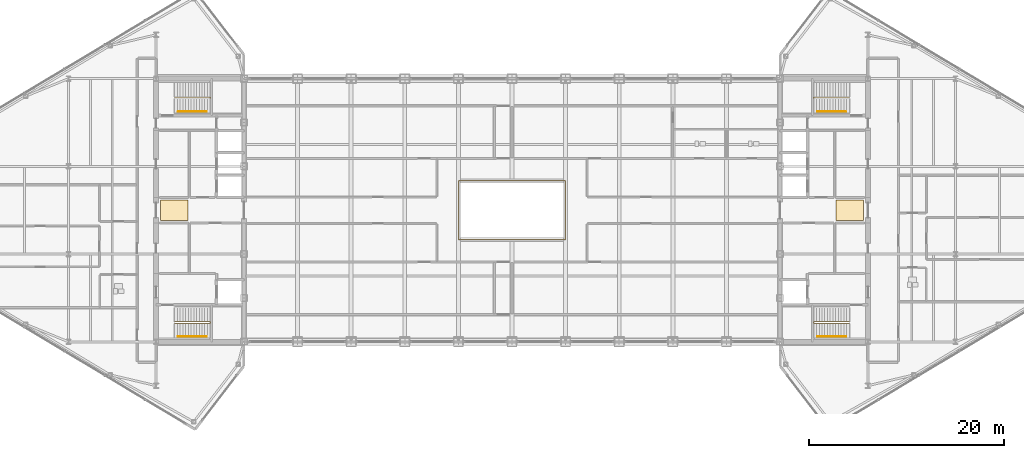
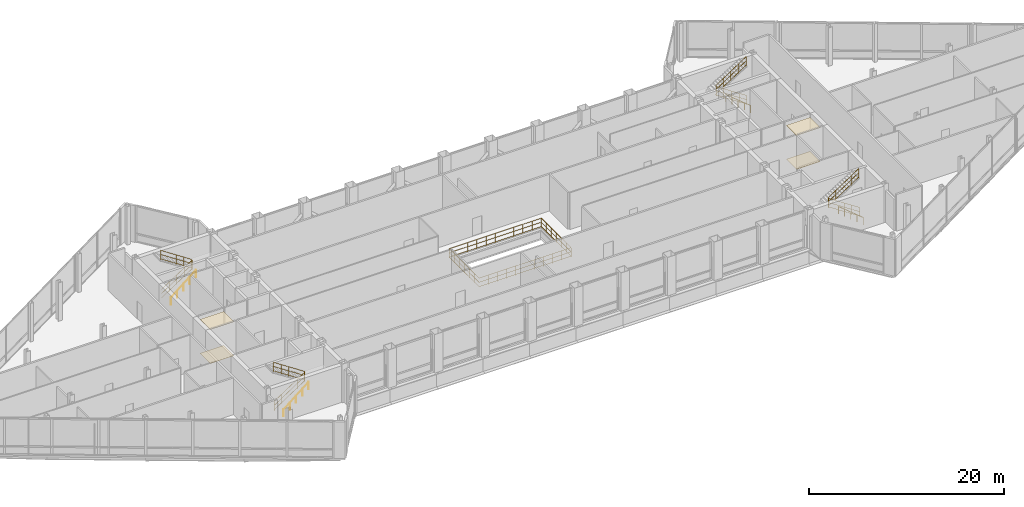
# One storey, part 29 of 30: 9 railings, 4 coverings.
"""IFC4 building model written with IfcOpenShell, lengths in metres."""

import ifcopenshell
import ifcopenshell.guid

model = None  # the IFC model being written
_history = None  # IfcOwnerHistory: only IFC2X3 demands one
_inside = {}  # id of a spatial element -> (the spatial element, [elements in it])
_under = {}  # id of a project, library or spatial element -> (it, [spatial elements below it])
_declared = {}  # id of a project -> (the project, [libraries it declares])
_typed = {}  # id of a type object -> (the type object, [elements of that type])
_made_of = {}  # id of a material, layer set ... -> (it, [elements and type objects made of it])


def new_model(schema):
    """Start an empty IFC model of exactly this schema.

    Asked for "IFC4X3", IfcOpenShell would pick the latest addendum, in which some entities
    have other attributes; the version numbers below select the first issue.
    IFC2X3 requires an IfcOwnerHistory on every rooted entity: one is made here for all.
    """
    global model, _history
    if schema == "IFC4X3":
        model = ifcopenshell.file(schema_version=(4, 3, 0, 0))
    else:
        model = ifcopenshell.file(schema=schema)
    _inside.clear()
    _under.clear()
    _declared.clear()
    _typed.clear()
    _made_of.clear()
    _history = None
    if model.schema == "IFC2X3":
        org = make("IfcOrganization", Name="unknown")
        user = make(
            "IfcPersonAndOrganization",
            ThePerson=make("IfcPerson", FamilyName="unknown"),
            TheOrganization=org,
        )
        app = make(
            "IfcApplication",
            ApplicationDeveloper=org,
            Version="unknown",
            ApplicationFullName="unknown",
            ApplicationIdentifier="unknown",
        )
        _history = make(
            "IfcOwnerHistory",
            OwningUser=user,
            OwningApplication=app,
            ChangeAction="ADDED",
            CreationDate=0,
        )
    return model


def make(cls, **values):
    """One entity of the class cls with the attributes given. An attribute that is None is left unset."""
    return model.create_entity(
        cls, **{name: value for name, value in values.items() if value is not None}
    )


def rooted(cls, **values):
    """An entity with a GlobalId (a new one), such as an element, a storey or a relation."""
    return make(cls, GlobalId=ifcopenshell.guid.new(), OwnerHistory=_history, **values)


def si_unit(unit_type, name, prefix=None):
    """IfcSIUnit, for example si_unit("LENGTHUNIT", "METRE", prefix="MILLI")."""
    return make("IfcSIUnit", UnitType=unit_type, Prefix=prefix, Name=name)


def assignment(units):
    """IfcUnitAssignment: the units of a project."""
    return None if units is None else make("IfcUnitAssignment", Units=units)


def point(xyz):
    """IfcCartesianPoint."""
    return None if xyz is None else make("IfcCartesianPoint", Coordinates=xyz)


def direction(xyz):
    """IfcDirection."""
    return None if xyz is None else make("IfcDirection", DirectionRatios=xyz)


def frame(location, z_axis=None, x_axis=None):
    """IfcAxis2Placement3D, a coordinate frame: its origin and axes. An axis left out is left unset."""
    return make(
        "IfcAxis2Placement3D",
        Location=point(location),
        Axis=direction(z_axis),
        RefDirection=direction(x_axis),
    )


def frame_2d(location, x_axis=None):
    """IfcAxis2Placement2D, a coordinate frame in the plane: its origin and x axis."""
    return make(
        "IfcAxis2Placement2D", Location=point(location), RefDirection=direction(x_axis)
    )


def origin():
    """The frame at (0, 0, 0) with its axes left unset."""
    return frame((0.0, 0.0, 0.0))


def origin_2d():
    """The frame at (0, 0) in the plane with its x axis left unset."""
    return frame_2d((0.0, 0.0))


def place(relative_to, where):
    """IfcLocalPlacement: puts the frame where relative to a parent placement (None: the world)."""
    return make(
        "IfcLocalPlacement", PlacementRelTo=relative_to, RelativePlacement=where
    )


def context(
    kind, dimensions, precision=None, world=None, true_north=None, identifier=None
):
    """IfcGeometricRepresentationContext, for example the 3D "Model" context."""
    return make(
        "IfcGeometricRepresentationContext",
        ContextIdentifier=identifier,
        ContextType=kind,
        CoordinateSpaceDimension=dimensions,
        Precision=precision,
        WorldCoordinateSystem=world,
        TrueNorth=true_north,
    )


def subcontext(parent, identifier, kind, view, scale=None):
    """IfcGeometricRepresentationSubContext, for example "Body" below "Model"."""
    return make(
        "IfcGeometricRepresentationSubContext",
        ContextIdentifier=identifier,
        ContextType=kind,
        ParentContext=parent,
        TargetScale=scale,
        TargetView=view,
    )


def project(units=None, contexts=None):
    """IfcProject with its units and contexts."""
    return rooted(
        "IfcProject",
        Name="project",
        RepresentationContexts=contexts,
        UnitsInContext=assignment(units),
    )


def spatial(cls, under=None, at=None, **own):
    """A site, building, storey or space (cls), placed at a placement, below another one or the project."""
    s = rooted(cls, ObjectPlacement=at, **own)
    if under is not None:
        _under.setdefault(under.id(), (under, []))[1].append(s)
    return s


def polyline(points):
    """IfcPolyline through the points."""
    return make("IfcPolyline", Points=[point(p) for p in points])


def profile(cls, at=None, kind="AREA", **sizes):
    """A parametric profile (cls). Its sizes go by their IFC names, for example OverallWidth=200.0."""
    return make(cls, ProfileType=kind, Position=at, **sizes)


def circle(**sizes):
    """IfcCircleProfileDef."""
    return profile("IfcCircleProfileDef", **sizes)


def outline(outer, holes=None, kind="AREA"):
    """IfcArbitraryClosedProfileDef: a profile drawn as a closed curve; with holes, ...WithVoids."""
    if holes is None:
        return make("IfcArbitraryClosedProfileDef", ProfileType=kind, OuterCurve=outer)
    return make(
        "IfcArbitraryProfileDefWithVoids",
        ProfileType=kind,
        OuterCurve=outer,
        InnerCurves=holes,
    )


def extrude(swept, where, along, depth):
    """IfcExtrudedAreaSolid: the profile swept, set in the frame where, extruded along a direction by depth."""
    return make(
        "IfcExtrudedAreaSolid",
        SweptArea=swept,
        Position=where,
        ExtrudedDirection=direction(along),
        Depth=depth,
    )


def shape(context_of_items, identifier, shape_type, items):
    """IfcShapeRepresentation: the items that make up one representation, for example the "Body"."""
    return make(
        "IfcShapeRepresentation",
        ContextOfItems=context_of_items,
        RepresentationIdentifier=identifier,
        RepresentationType=shape_type,
        Items=items,
    )


def material(Name=None, Category=None):
    """IfcMaterial."""
    return make("IfcMaterial", Name=Name, Category=Category)


def layer(
    of_material, thickness, ventilated=None, Name=None, Category=None, Priority=None
):
    """IfcMaterialLayer: one layer of a wall or slab, of a material (None: an air gap)."""
    return make(
        "IfcMaterialLayer",
        Material=of_material,
        LayerThickness=thickness,
        IsVentilated=ventilated,
        Name=Name,
        Category=Category,
        Priority=Priority,
    )


def layer_set(layers, Name=None):
    """IfcMaterialLayerSet."""
    return make("IfcMaterialLayerSet", MaterialLayers=layers, LayerSetName=Name)


def made_of(thing, what):
    """Note that an element or type object is made of a material, layer set ...; save() writes the relation."""
    if what is not None:
        _made_of.setdefault(what.id(), (what, []))[1].append(thing)
    return thing


def type_object(cls, material=None, **own):
    """A type object (cls), such as IfcWallType, which elements share."""
    return made_of(rooted(cls, **own), material)


def element(
    cls,
    number,
    at=None,
    inside=None,
    cuts=None,
    type_object=None,
    material=None,
    context=None,
    identifier="Body",
    shape_type=None,
    held_by="IfcProductDefinitionShape",
    body=None,
    shapes=None,
    **own,
):
    """One element of the class cls, such as IfcWall. Its Tag is "e" and its number.

    at: its placement. inside: the storey or other place that contains it. cuts: it is an
    opening in that element (IfcRelVoidsElement). A single representation is given by context,
    identifier, shape_type and body (its items); several are given by shapes. held_by: the class
    of the entity that holds the representations. save() writes the other relations.
    """
    e = rooted(cls, Tag="e%d" % number, ObjectPlacement=at, **own)
    if body is not None:
        shapes = [shape(context, identifier, shape_type, body)]
    if shapes is not None:
        e.Representation = make(held_by, Representations=shapes)
    if inside is not None:
        _inside.setdefault(inside.id(), (inside, []))[1].append(e)
    if cuts is not None:
        rooted(
            "IfcRelVoidsElement", RelatingBuildingElement=cuts, RelatedOpeningElement=e
        )
    if type_object is not None:
        _typed.setdefault(type_object.id(), (type_object, []))[1].append(e)
    return made_of(e, material)


def aggregate(whole, parts):
    """IfcRelAggregates: a whole, such as a stair, and the parts it consists of."""
    return rooted("IfcRelAggregates", RelatingObject=whole, RelatedObjects=parts)


def save(model, path):
    """Write the relations noted so far, then the file.

    IfcRelAggregates (storeys below a building ...), IfcRelContainedInSpatialStructure (elements
    in a storey), IfcRelDefinesByType, IfcRelAssociatesMaterial and IfcRelDeclares: one each for
    every whole, place, type object, material and project.
    """
    for whole, parts in _under.values():
        aggregate(whole, parts)
    for where, things in _inside.values():
        rooted(
            "IfcRelContainedInSpatialStructure",
            RelatedElements=things,
            RelatingStructure=where,
        )
    for kind, things in _typed.values():
        rooted("IfcRelDefinesByType", RelatedObjects=things, RelatingType=kind)
    for what, things in _made_of.values():
        rooted("IfcRelAssociatesMaterial", RelatedObjects=things, RelatingMaterial=what)
    for by, libraries in _declared.values():
        rooted("IfcRelDeclares", RelatingContext=by, RelatedDefinitions=libraries)
    model.write(path)


model = new_model("IFC4")

# Units and contexts
model_context = context("Model", 3, precision=1e-05, world=origin(), true_north=direction((0.0, 1.0)))
body_context = subcontext(model_context, "Body", "Model", "MODEL_VIEW")
ifc_project = project(units=[si_unit("LENGTHUNIT", "METRE"), si_unit("AREAUNIT", "SQUARE_METRE"), si_unit("VOLUMEUNIT", "CUBIC_METRE"), si_unit("PLANEANGLEUNIT", "RADIAN"), si_unit("MASSUNIT", "GRAM", prefix="KILO")], contexts=[model_context])

# Site, building, storey
site_placement = place(None, origin())
site = spatial("IfcSite", under=ifc_project, at=site_placement, CompositionType="ELEMENT")
building_placement = place(site_placement, origin())
building = spatial("IfcBuilding", under=site, at=building_placement, Name="Seokmaru Belvedere", CompositionType="ELEMENT")
storey_placement = place(building_placement, frame((0.0, 0.0, 234.60009765625)))
storey = spatial("IfcBuildingStorey", under=building, at=storey_placement, Name="L62", CompositionType="ELEMENT", Elevation=234.60009765625)

# Coverings
ifc_material_1 = material(Name="Honed Incheon Granite Stone", Category="masonry")
ifc_layer_1 = layer(ifc_material_1, 0.030029296875)
ifc_layer_set_1 = layer_set([ifc_layer_1], Name="Honed Incheon Granite Stone")
covering_type_1 = type_object("IfcCoveringType", Name="Honed Granite Lobby Floor Finish 30", PredefinedType="FLOORING", material=ifc_layer_set_1)
covering_1_placement = place(storey_placement, origin())
element("IfcCovering", 1, at=covering_1_placement, inside=storey, type_object=covering_type_1, Name="L62 W Foyer Floor Finish", PredefinedType="FLOORING", context=body_context, shape_type="SweptSolid", body=[
    extrude(outline(polyline([(-36.050048828125, -1.050048828125), (-33.25, -1.050048828125), (-33.25, 1.050048828125), (-36.050048828125, 1.050048828125), (-36.050048828125, -1.050048828125)])), origin(), (0.0, 0.0, 1.0), 0.02978515625),
])
covering_2_placement = place(storey_placement, origin())
element("IfcCovering", 2, at=covering_2_placement, inside=storey, type_object=covering_type_1, Name="L62 E Foyer Floor Finish", PredefinedType="FLOORING", context=body_context, shape_type="SweptSolid", body=[
    extrude(outline(polyline([(33.25, -1.050048828125), (36.050048828125, -1.050048828125), (36.050048828125, 1.050048828125), (33.25, 1.050048828125), (33.25, -1.050048828125)])), origin(), (0.0, 0.0, 1.0), 0.02978515625),
])
ifc_material_2 = material(Name="Fire-Rated Gypsum Shaftwall")
ifc_layer_2 = layer(ifc_material_2, 0.02490234375)
ifc_layer_set_2 = layer_set([ifc_layer_2], Name="Fire-Rated Gypsum Shaftwall")
covering_type_2 = type_object("IfcCoveringType", Name="Perforated Acoustic Gypsum Suspended Ceiling 25", PredefinedType="CEILING", material=ifc_layer_set_2)
covering_3_placement = place(storey_placement, frame((0.0, 0.0, 4.22998046875)))
element("IfcCovering", 3, at=covering_3_placement, inside=storey, type_object=covering_type_2, Name="L62 W Lift Foyer Acoustic Ceiling", PredefinedType="CEILING", context=body_context, shape_type="SweptSolid", body=[
    extrude(outline(polyline([(-36.050048828125, -1.050048828125), (-33.25, -1.050048828125), (-33.25, 1.050048828125), (-36.050048828125, 1.050048828125), (-36.050048828125, -1.050048828125)])), origin(), (0.0, 0.0, 1.0), 0.02490234375),
])
covering_4_placement = place(storey_placement, frame((0.0, 0.0, 4.22998046875)))
element("IfcCovering", 4, at=covering_4_placement, inside=storey, type_object=covering_type_2, Name="L62 E Lift Foyer Acoustic Ceiling", PredefinedType="CEILING", context=body_context, shape_type="SweptSolid", body=[
    extrude(outline(polyline([(33.25, -1.050048828125), (36.050048828125, -1.050048828125), (36.050048828125, 1.050048828125), (33.25, 1.050048828125), (33.25, -1.050048828125)])), origin(), (0.0, 0.0, 1.0), 0.02490234375),
])

# Railings
ifc_material_3 = material(Name="Stainless Steel 316", Category="steel")
railing_type_1 = type_object("IfcRailingType", Name="Stainless Steel Wall and Flight Handrail 900", PredefinedType="HANDRAIL", material=ifc_material_3)
for number, where, name in (
    (5, (-34.25, -12.949951171875, 0.0), "L62 Stair ST-W1 Wall Handrail"),
    (6, (-34.25, 10.110107421875, 0.0), "L62 Stair ST-W2 Wall Handrail"),
):
    element("IfcRailing", number, at=place(storey_placement, frame(where)), inside=storey, type_object=railing_type_1, Name=name, PredefinedType="HANDRAIL", context=body_context, shape_type="SweptSolid", body=[
        extrude(circle(Radius=0.02392578125, at=origin_2d()), frame((0.0, 0.0, 0.8759765625), z_axis=(0.774667631543, 0.0, 0.632368611365), x_axis=(0.0, 1.0, 0.0)), (0.0, 0.0, 1.0), 3.795166015625),
        extrude(circle(Radius=0.02099609375, at=origin_2d()), origin(), (0.0, 0.0, 1.0), 0.851806640625),
        extrude(circle(Radius=0.02099609375, at=origin_2d()), frame((0.73486328125, 0.0, 0.60009765625)), (0.0, 0.0, 1.0), 0.851806640625),
        extrude(circle(Radius=0.02099609375, at=origin_2d()), frame((1.469970703125, 0.0, 1.199951171875)), (0.0, 0.0, 1.0), 0.851806640625),
        extrude(circle(Radius=0.02099609375, at=origin_2d()), frame((2.205078125, 0.0, 1.7998046875)), (0.0, 0.0, 1.0), 0.851806640625),
        extrude(circle(Radius=0.02099609375, at=origin_2d()), frame((2.93994140625, 0.0, 2.39990234375)), (0.0, 0.0, 1.0), 0.851806640625),
    ])
for number, where, name in (
    (7, (34.25, -12.949951171875, 0.0), "L62 Stair ST-E1 Wall Handrail"),
    (8, (34.25, 10.110107421875, 0.0), "L62 Stair ST-E2 Wall Handrail"),
):
    element("IfcRailing", number, at=place(storey_placement, frame(where)), inside=storey, type_object=railing_type_1, Name=name, PredefinedType="HANDRAIL", context=body_context, shape_type="SweptSolid", body=[
        extrude(circle(Radius=0.02392578125, at=origin_2d()), frame((0.0, 0.0, 0.8759765625), z_axis=(-0.774667631543, 0.0, 0.632368611365), x_axis=(0.0, -1.0, 0.0)), (0.0, 0.0, 1.0), 3.795166015625),
        extrude(circle(Radius=0.02099609375, at=origin_2d()), origin(), (0.0, 0.0, 1.0), 0.851806640625),
        extrude(circle(Radius=0.02099609375, at=origin_2d()), frame((-0.73486328125, 0.0, 0.60009765625)), (0.0, 0.0, 1.0), 0.851806640625),
        extrude(circle(Radius=0.02099609375, at=origin_2d()), frame((-1.469970703125, 0.0, 1.199951171875)), (0.0, 0.0, 1.0), 0.851806640625),
        extrude(circle(Radius=0.02099609375, at=origin_2d()), frame((-2.205078125, 0.0, 1.7998046875)), (0.0, 0.0, 1.0), 0.851806640625),
        extrude(circle(Radius=0.02099609375, at=origin_2d()), frame((-2.93994140625, 0.0, 2.39990234375)), (0.0, 0.0, 1.0), 0.851806640625),
    ])
railing_type_2 = type_object("IfcRailingType", Name="Stair Well and Atrium Steel Guardrail 1200", PredefinedType="GUARDRAIL", material=ifc_material_3)
railing_1_placement = place(storey_placement, frame((-34.60009765625, -11.60009765625, 0.0)))
element("IfcRailing", 9, at=railing_1_placement, inside=storey, type_object=railing_type_2, Name="L62 Stair ST-W1 Inner Well Guardrail", PredefinedType="GUARDRAIL", context=body_context, shape_type="SweptSolid", body=[
    extrude(circle(Radius=0.02392578125, at=origin_2d()), frame((0.0, 0.0, 1.17578125), z_axis=(0.83488217925, 0.0, 0.55042869363), x_axis=(0.0, 1.0, 0.0)), (0.0, 0.0, 1.0), 4.360107421875),
    extrude(circle(Radius=0.02392578125, at=origin_2d()), frame((0.0, 0.0, 0.1201171875), z_axis=(0.83488217925, 0.0, 0.55042869363), x_axis=(0.0, 1.0, 0.0)), (0.0, 0.0, 1.0), 4.360107421875),
    extrude(circle(Radius=0.02392578125, at=origin_2d()), frame((0.0, 0.0, 0.659912109375), z_axis=(0.83488217925, 0.0, 0.55042869363), x_axis=(0.0, 1.0, 0.0)), (0.0, 0.0, 1.0), 4.360107421875),
    extrude(circle(Radius=0.02392578125, at=origin_2d()), frame((3.64013671875, 0.0, 3.57568359375), z_axis=(0.0, 1.0, 0.0), x_axis=(-1.0, 0.0, 0.0)), (0.0, 0.0, 1.0), 0.14013671875),
    extrude(circle(Radius=0.02392578125, at=origin_2d()), frame((3.64013671875, 0.0, 2.52001953125), z_axis=(0.0, 1.0, 0.0), x_axis=(-1.0, 0.0, 0.0)), (0.0, 0.0, 1.0), 0.14013671875),
    extrude(circle(Radius=0.02392578125, at=origin_2d()), frame((3.64013671875, 0.0, 3.059814453125), z_axis=(0.0, 1.0, 0.0), x_axis=(-1.0, 0.0, 0.0)), (0.0, 0.0, 1.0), 0.14013671875),
    extrude(circle(Radius=0.02392578125, at=origin_2d()), frame((3.64013671875, 0.14013671875, 3.57568359375), z_axis=(-0.83488217925, 0.0, 0.55042869363), x_axis=(0.0, -1.0, 0.0)), (0.0, 0.0, 1.0), 4.360107421875),
    extrude(circle(Radius=0.02392578125, at=origin_2d()), frame((3.64013671875, 0.14013671875, 2.52001953125), z_axis=(-0.83488217925, 0.0, 0.55042869363), x_axis=(0.0, -1.0, 0.0)), (0.0, 0.0, 1.0), 4.360107421875),
    extrude(circle(Radius=0.02392578125, at=origin_2d()), frame((3.64013671875, 0.14013671875, 3.059814453125), z_axis=(-0.83488217925, 0.0, 0.55042869363), x_axis=(0.0, -1.0, 0.0)), (0.0, 0.0, 1.0), 4.360107421875),
    extrude(circle(Radius=0.02099609375, at=origin_2d()), origin(), (0.0, 0.0, 1.0), 1.15185546875),
    extrude(circle(Radius=0.02099609375, at=origin_2d()), frame((0.91015625, 0.0, 0.60009765625)), (0.0, 0.0, 1.0), 1.15185546875),
    extrude(circle(Radius=0.02099609375, at=origin_2d()), frame((1.820068359375, 0.0, 1.199951171875)), (0.0, 0.0, 1.0), 1.15185546875),
    extrude(circle(Radius=0.02099609375, at=origin_2d()), frame((2.72998046875, 0.0, 1.7998046875)), (0.0, 0.0, 1.0), 1.15185546875),
    extrude(circle(Radius=0.02099609375, at=origin_2d()), frame((3.64013671875, 0.0, 2.39990234375)), (0.0, 0.0, 1.0), 1.15185546875),
    extrude(circle(Radius=0.02099609375, at=origin_2d()), frame((3.64013671875, 0.14013671875, 2.39990234375)), (0.0, 0.0, 1.0), 1.15185546875),
    extrude(circle(Radius=0.02099609375, at=origin_2d()), frame((2.72998046875, 0.14013671875, 3.0)), (0.0, 0.0, 1.0), 1.15185546875),
    extrude(circle(Radius=0.02099609375, at=origin_2d()), frame((1.820068359375, 0.14013671875, 3.599853515625)), (0.0, 0.0, 1.0), 1.15185546875),
    extrude(circle(Radius=0.02099609375, at=origin_2d()), frame((0.91015625, 0.14013671875, 4.19970703125)), (0.0, 0.0, 1.0), 1.15185546875),
    extrude(circle(Radius=0.02099609375, at=origin_2d()), frame((0.0, 0.14013671875, 4.7998046875)), (0.0, 0.0, 1.0), 1.15185546875),
])
railing_2_placement = place(storey_placement, frame((-34.60009765625, 11.4599609375, 0.0)))
element("IfcRailing", 10, at=railing_2_placement, inside=storey, type_object=railing_type_2, Name="L62 Stair ST-W2 Inner Well Guardrail", PredefinedType="GUARDRAIL", context=body_context, shape_type="SweptSolid", body=[
    extrude(circle(Radius=0.02392578125, at=origin_2d()), frame((0.0, 0.0, 1.17578125), z_axis=(0.83488217925, 0.0, 0.55042869363), x_axis=(0.0, 1.0, 0.0)), (0.0, 0.0, 1.0), 4.360107421875),
    extrude(circle(Radius=0.02392578125, at=origin_2d()), frame((0.0, 0.0, 0.1201171875), z_axis=(0.83488217925, 0.0, 0.55042869363), x_axis=(0.0, 1.0, 0.0)), (0.0, 0.0, 1.0), 4.360107421875),
    extrude(circle(Radius=0.02392578125, at=origin_2d()), frame((0.0, 0.0, 0.659912109375), z_axis=(0.83488217925, 0.0, 0.55042869363), x_axis=(0.0, 1.0, 0.0)), (0.0, 0.0, 1.0), 4.360107421875),
    extrude(circle(Radius=0.02392578125, at=origin_2d()), frame((3.64013671875, 0.0, 3.57568359375), z_axis=(0.0, 1.0, 0.0), x_axis=(-1.0, 0.0, 0.0)), (0.0, 0.0, 1.0), 0.14013671875),
    extrude(circle(Radius=0.02392578125, at=origin_2d()), frame((3.64013671875, 0.0, 2.52001953125), z_axis=(0.0, 1.0, 0.0), x_axis=(-1.0, 0.0, 0.0)), (0.0, 0.0, 1.0), 0.14013671875),
    extrude(circle(Radius=0.02392578125, at=origin_2d()), frame((3.64013671875, 0.0, 3.059814453125), z_axis=(0.0, 1.0, 0.0), x_axis=(-1.0, 0.0, 0.0)), (0.0, 0.0, 1.0), 0.14013671875),
    extrude(circle(Radius=0.02392578125, at=origin_2d()), frame((3.64013671875, 0.14013671875, 3.57568359375), z_axis=(-0.83488217925, 0.0, 0.55042869363), x_axis=(0.0, -1.0, 0.0)), (0.0, 0.0, 1.0), 4.360107421875),
    extrude(circle(Radius=0.02392578125, at=origin_2d()), frame((3.64013671875, 0.14013671875, 2.52001953125), z_axis=(-0.83488217925, 0.0, 0.55042869363), x_axis=(0.0, -1.0, 0.0)), (0.0, 0.0, 1.0), 4.360107421875),
    extrude(circle(Radius=0.02392578125, at=origin_2d()), frame((3.64013671875, 0.14013671875, 3.059814453125), z_axis=(-0.83488217925, 0.0, 0.55042869363), x_axis=(0.0, -1.0, 0.0)), (0.0, 0.0, 1.0), 4.360107421875),
    extrude(circle(Radius=0.02099609375, at=origin_2d()), origin(), (0.0, 0.0, 1.0), 1.15185546875),
    extrude(circle(Radius=0.02099609375, at=origin_2d()), frame((0.91015625, 0.0, 0.60009765625)), (0.0, 0.0, 1.0), 1.15185546875),
    extrude(circle(Radius=0.02099609375, at=origin_2d()), frame((1.820068359375, 0.0, 1.199951171875)), (0.0, 0.0, 1.0), 1.15185546875),
    extrude(circle(Radius=0.02099609375, at=origin_2d()), frame((2.72998046875, 0.0, 1.7998046875)), (0.0, 0.0, 1.0), 1.15185546875),
    extrude(circle(Radius=0.02099609375, at=origin_2d()), frame((3.64013671875, 0.0, 2.39990234375)), (0.0, 0.0, 1.0), 1.15185546875),
    extrude(circle(Radius=0.02099609375, at=origin_2d()), frame((3.64013671875, 0.14013671875, 2.39990234375)), (0.0, 0.0, 1.0), 1.15185546875),
    extrude(circle(Radius=0.02099609375, at=origin_2d()), frame((2.72998046875, 0.14013671875, 3.0)), (0.0, 0.0, 1.0), 1.15185546875),
    extrude(circle(Radius=0.02099609375, at=origin_2d()), frame((1.820068359375, 0.14013671875, 3.599853515625)), (0.0, 0.0, 1.0), 1.15185546875),
    extrude(circle(Radius=0.02099609375, at=origin_2d()), frame((0.91015625, 0.14013671875, 4.19970703125)), (0.0, 0.0, 1.0), 1.15185546875),
    extrude(circle(Radius=0.02099609375, at=origin_2d()), frame((0.0, 0.14013671875, 4.7998046875)), (0.0, 0.0, 1.0), 1.15185546875),
])
railing_3_placement = place(storey_placement, frame((34.60009765625, -11.60009765625, 0.0)))
element("IfcRailing", 11, at=railing_3_placement, inside=storey, type_object=railing_type_2, Name="L62 Stair ST-E1 Inner Well Guardrail", PredefinedType="GUARDRAIL", context=body_context, shape_type="SweptSolid", body=[
    extrude(circle(Radius=0.02392578125, at=origin_2d()), frame((0.0, 0.0, 1.17578125), z_axis=(-0.83488217925, 0.0, 0.55042869363), x_axis=(0.0, -1.0, 0.0)), (0.0, 0.0, 1.0), 4.360107421875),
    extrude(circle(Radius=0.02392578125, at=origin_2d()), frame((0.0, 0.0, 0.1201171875), z_axis=(-0.83488217925, 0.0, 0.55042869363), x_axis=(0.0, -1.0, 0.0)), (0.0, 0.0, 1.0), 4.360107421875),
    extrude(circle(Radius=0.02392578125, at=origin_2d()), frame((0.0, 0.0, 0.659912109375), z_axis=(-0.83488217925, 0.0, 0.55042869363), x_axis=(0.0, -1.0, 0.0)), (0.0, 0.0, 1.0), 4.360107421875),
    extrude(circle(Radius=0.02392578125, at=origin_2d()), frame((-3.64013671875, 0.0, 3.57568359375), z_axis=(0.0, 1.0, 0.0), x_axis=(-1.0, 0.0, 0.0)), (0.0, 0.0, 1.0), 0.14013671875),
    extrude(circle(Radius=0.02392578125, at=origin_2d()), frame((-3.64013671875, 0.0, 2.52001953125), z_axis=(0.0, 1.0, 0.0), x_axis=(-1.0, 0.0, 0.0)), (0.0, 0.0, 1.0), 0.14013671875),
    extrude(circle(Radius=0.02392578125, at=origin_2d()), frame((-3.64013671875, 0.0, 3.059814453125), z_axis=(0.0, 1.0, 0.0), x_axis=(-1.0, 0.0, 0.0)), (0.0, 0.0, 1.0), 0.14013671875),
    extrude(circle(Radius=0.02392578125, at=origin_2d()), frame((-3.64013671875, 0.14013671875, 3.57568359375), z_axis=(0.83488217925, 0.0, 0.55042869363), x_axis=(0.0, 1.0, 0.0)), (0.0, 0.0, 1.0), 4.360107421875),
    extrude(circle(Radius=0.02392578125, at=origin_2d()), frame((-3.64013671875, 0.14013671875, 2.52001953125), z_axis=(0.83488217925, 0.0, 0.55042869363), x_axis=(0.0, 1.0, 0.0)), (0.0, 0.0, 1.0), 4.360107421875),
    extrude(circle(Radius=0.02392578125, at=origin_2d()), frame((-3.64013671875, 0.14013671875, 3.059814453125), z_axis=(0.83488217925, 0.0, 0.55042869363), x_axis=(0.0, 1.0, 0.0)), (0.0, 0.0, 1.0), 4.360107421875),
    extrude(circle(Radius=0.02099609375, at=origin_2d()), origin(), (0.0, 0.0, 1.0), 1.15185546875),
    extrude(circle(Radius=0.02099609375, at=origin_2d()), frame((-0.91015625, 0.0, 0.60009765625)), (0.0, 0.0, 1.0), 1.15185546875),
    extrude(circle(Radius=0.02099609375, at=origin_2d()), frame((-1.820068359375, 0.0, 1.199951171875)), (0.0, 0.0, 1.0), 1.15185546875),
    extrude(circle(Radius=0.02099609375, at=origin_2d()), frame((-2.72998046875, 0.0, 1.7998046875)), (0.0, 0.0, 1.0), 1.15185546875),
    extrude(circle(Radius=0.02099609375, at=origin_2d()), frame((-3.64013671875, 0.0, 2.39990234375)), (0.0, 0.0, 1.0), 1.15185546875),
    extrude(circle(Radius=0.02099609375, at=origin_2d()), frame((-3.64013671875, 0.14013671875, 2.39990234375)), (0.0, 0.0, 1.0), 1.15185546875),
    extrude(circle(Radius=0.02099609375, at=origin_2d()), frame((-2.72998046875, 0.14013671875, 3.0)), (0.0, 0.0, 1.0), 1.15185546875),
    extrude(circle(Radius=0.02099609375, at=origin_2d()), frame((-1.820068359375, 0.14013671875, 3.599853515625)), (0.0, 0.0, 1.0), 1.15185546875),
    extrude(circle(Radius=0.02099609375, at=origin_2d()), frame((-0.91015625, 0.14013671875, 4.19970703125)), (0.0, 0.0, 1.0), 1.15185546875),
    extrude(circle(Radius=0.02099609375, at=origin_2d()), frame((0.0, 0.14013671875, 4.7998046875)), (0.0, 0.0, 1.0), 1.15185546875),
])
railing_4_placement = place(storey_placement, frame((34.60009765625, 11.4599609375, 0.0)))
element("IfcRailing", 12, at=railing_4_placement, inside=storey, type_object=railing_type_2, Name="L62 Stair ST-E2 Inner Well Guardrail", PredefinedType="GUARDRAIL", context=body_context, shape_type="SweptSolid", body=[
    extrude(circle(Radius=0.02392578125, at=origin_2d()), frame((0.0, 0.0, 1.17578125), z_axis=(-0.83488217925, 0.0, 0.55042869363), x_axis=(0.0, -1.0, 0.0)), (0.0, 0.0, 1.0), 4.360107421875),
    extrude(circle(Radius=0.02392578125, at=origin_2d()), frame((0.0, 0.0, 0.1201171875), z_axis=(-0.83488217925, 0.0, 0.55042869363), x_axis=(0.0, -1.0, 0.0)), (0.0, 0.0, 1.0), 4.360107421875),
    extrude(circle(Radius=0.02392578125, at=origin_2d()), frame((0.0, 0.0, 0.659912109375), z_axis=(-0.83488217925, 0.0, 0.55042869363), x_axis=(0.0, -1.0, 0.0)), (0.0, 0.0, 1.0), 4.360107421875),
    extrude(circle(Radius=0.02392578125, at=origin_2d()), frame((-3.64013671875, 0.0, 3.57568359375), z_axis=(0.0, 1.0, 0.0), x_axis=(-1.0, 0.0, 0.0)), (0.0, 0.0, 1.0), 0.14013671875),
    extrude(circle(Radius=0.02392578125, at=origin_2d()), frame((-3.64013671875, 0.0, 2.52001953125), z_axis=(0.0, 1.0, 0.0), x_axis=(-1.0, 0.0, 0.0)), (0.0, 0.0, 1.0), 0.14013671875),
    extrude(circle(Radius=0.02392578125, at=origin_2d()), frame((-3.64013671875, 0.0, 3.059814453125), z_axis=(0.0, 1.0, 0.0), x_axis=(-1.0, 0.0, 0.0)), (0.0, 0.0, 1.0), 0.14013671875),
    extrude(circle(Radius=0.02392578125, at=origin_2d()), frame((-3.64013671875, 0.14013671875, 3.57568359375), z_axis=(0.83488217925, 0.0, 0.55042869363), x_axis=(0.0, 1.0, 0.0)), (0.0, 0.0, 1.0), 4.360107421875),
    extrude(circle(Radius=0.02392578125, at=origin_2d()), frame((-3.64013671875, 0.14013671875, 2.52001953125), z_axis=(0.83488217925, 0.0, 0.55042869363), x_axis=(0.0, 1.0, 0.0)), (0.0, 0.0, 1.0), 4.360107421875),
    extrude(circle(Radius=0.02392578125, at=origin_2d()), frame((-3.64013671875, 0.14013671875, 3.059814453125), z_axis=(0.83488217925, 0.0, 0.55042869363), x_axis=(0.0, 1.0, 0.0)), (0.0, 0.0, 1.0), 4.360107421875),
    extrude(circle(Radius=0.02099609375, at=origin_2d()), origin(), (0.0, 0.0, 1.0), 1.15185546875),
    extrude(circle(Radius=0.02099609375, at=origin_2d()), frame((-0.91015625, 0.0, 0.60009765625)), (0.0, 0.0, 1.0), 1.15185546875),
    extrude(circle(Radius=0.02099609375, at=origin_2d()), frame((-1.820068359375, 0.0, 1.199951171875)), (0.0, 0.0, 1.0), 1.15185546875),
    extrude(circle(Radius=0.02099609375, at=origin_2d()), frame((-2.72998046875, 0.0, 1.7998046875)), (0.0, 0.0, 1.0), 1.15185546875),
    extrude(circle(Radius=0.02099609375, at=origin_2d()), frame((-3.64013671875, 0.0, 2.39990234375)), (0.0, 0.0, 1.0), 1.15185546875),
    extrude(circle(Radius=0.02099609375, at=origin_2d()), frame((-3.64013671875, 0.14013671875, 2.39990234375)), (0.0, 0.0, 1.0), 1.15185546875),
    extrude(circle(Radius=0.02099609375, at=origin_2d()), frame((-2.72998046875, 0.14013671875, 3.0)), (0.0, 0.0, 1.0), 1.15185546875),
    extrude(circle(Radius=0.02099609375, at=origin_2d()), frame((-1.820068359375, 0.14013671875, 3.599853515625)), (0.0, 0.0, 1.0), 1.15185546875),
    extrude(circle(Radius=0.02099609375, at=origin_2d()), frame((-0.91015625, 0.14013671875, 4.19970703125)), (0.0, 0.0, 1.0), 1.15185546875),
    extrude(circle(Radius=0.02099609375, at=origin_2d()), frame((0.0, 0.14013671875, 4.7998046875)), (0.0, 0.0, 1.0), 1.15185546875),
])
railing_5_placement = place(storey_placement, frame((-5.43994140625, -3.0400390625, 0.0)))
element("IfcRailing", 13, at=railing_5_placement, inside=storey, type_object=railing_type_2, Name="L62 Sky-Gate Atrium Void Balustrade", PredefinedType="GUARDRAIL", context=body_context, shape_type="SweptSolid", body=[
    extrude(circle(Radius=0.02392578125, at=origin_2d()), frame((0.0, 0.0, 1.17578125), z_axis=(1.0, 0.0, 0.0), x_axis=(0.0, 1.0, 0.0)), (0.0, 0.0, 1.0), 10.8798828125),
    extrude(circle(Radius=0.02392578125, at=origin_2d()), frame((0.0, 0.0, 0.1201171875), z_axis=(1.0, 0.0, 0.0), x_axis=(0.0, 1.0, 0.0)), (0.0, 0.0, 1.0), 10.8798828125),
    extrude(circle(Radius=0.02392578125, at=origin_2d()), frame((0.0, 0.0, 0.659912109375), z_axis=(1.0, 0.0, 0.0), x_axis=(0.0, 1.0, 0.0)), (0.0, 0.0, 1.0), 10.8798828125),
    extrude(circle(Radius=0.02392578125, at=origin_2d()), frame((10.8798828125, 0.0, 1.17578125), z_axis=(0.0, 1.0, 0.0), x_axis=(-1.0, 0.0, 0.0)), (0.0, 0.0, 1.0), 6.080078125),
    extrude(circle(Radius=0.02392578125, at=origin_2d()), frame((10.8798828125, 0.0, 0.1201171875), z_axis=(0.0, 1.0, 0.0), x_axis=(-1.0, 0.0, 0.0)), (0.0, 0.0, 1.0), 6.080078125),
    extrude(circle(Radius=0.02392578125, at=origin_2d()), frame((10.8798828125, 0.0, 0.659912109375), z_axis=(0.0, 1.0, 0.0), x_axis=(-1.0, 0.0, 0.0)), (0.0, 0.0, 1.0), 6.080078125),
    extrude(circle(Radius=0.02392578125, at=origin_2d()), frame((10.8798828125, 6.080078125, 1.17578125), z_axis=(-1.0, 0.0, 0.0), x_axis=(0.0, -1.0, 0.0)), (0.0, 0.0, 1.0), 10.8798828125),
    extrude(circle(Radius=0.02392578125, at=origin_2d()), frame((10.8798828125, 6.080078125, 0.1201171875), z_axis=(-1.0, 0.0, 0.0), x_axis=(0.0, -1.0, 0.0)), (0.0, 0.0, 1.0), 10.8798828125),
    extrude(circle(Radius=0.02392578125, at=origin_2d()), frame((10.8798828125, 6.080078125, 0.659912109375), z_axis=(-1.0, 0.0, 0.0), x_axis=(0.0, -1.0, 0.0)), (0.0, 0.0, 1.0), 10.8798828125),
    extrude(circle(Radius=0.02392578125, at=origin_2d()), frame((0.0, 6.080078125, 1.17578125), z_axis=(0.0, -1.0, 0.0), x_axis=(1.0, 0.0, 0.0)), (0.0, 0.0, 1.0), 6.080078125),
    extrude(circle(Radius=0.02392578125, at=origin_2d()), frame((0.0, 6.080078125, 0.1201171875), z_axis=(0.0, -1.0, 0.0), x_axis=(1.0, 0.0, 0.0)), (0.0, 0.0, 1.0), 6.080078125),
    extrude(circle(Radius=0.02392578125, at=origin_2d()), frame((0.0, 6.080078125, 0.659912109375), z_axis=(0.0, -1.0, 0.0), x_axis=(1.0, 0.0, 0.0)), (0.0, 0.0, 1.0), 6.080078125),
    extrude(circle(Radius=0.02099609375, at=origin_2d()), origin(), (0.0, 0.0, 1.0), 1.15185546875),
    extrude(circle(Radius=0.02099609375, at=origin_2d()), frame((1.087890625, 0.0, 0.0)), (0.0, 0.0, 1.0), 1.15185546875),
    extrude(circle(Radius=0.02099609375, at=origin_2d()), frame((2.176025390625, 0.0, 0.0)), (0.0, 0.0, 1.0), 1.15185546875),
    extrude(circle(Radius=0.02099609375, at=origin_2d()), frame((3.263916015625, 0.0, 0.0)), (0.0, 0.0, 1.0), 1.15185546875),
    extrude(circle(Radius=0.02099609375, at=origin_2d()), frame((4.35205078125, 0.0, 0.0)), (0.0, 0.0, 1.0), 1.15185546875),
    extrude(circle(Radius=0.02099609375, at=origin_2d()), frame((5.43994140625, 0.0, 0.0)), (0.0, 0.0, 1.0), 1.15185546875),
    extrude(circle(Radius=0.02099609375, at=origin_2d()), frame((6.52783203125, 0.0, 0.0)), (0.0, 0.0, 1.0), 1.15185546875),
    extrude(circle(Radius=0.02099609375, at=origin_2d()), frame((7.615966796875, 0.0, 0.0)), (0.0, 0.0, 1.0), 1.15185546875),
    extrude(circle(Radius=0.02099609375, at=origin_2d()), frame((8.703857421875, 0.0, 0.0)), (0.0, 0.0, 1.0), 1.15185546875),
    extrude(circle(Radius=0.02099609375, at=origin_2d()), frame((9.7919921875, 0.0, 0.0)), (0.0, 0.0, 1.0), 1.15185546875),
    extrude(circle(Radius=0.02099609375, at=origin_2d()), frame((10.8798828125, 0.0, 0.0)), (0.0, 0.0, 1.0), 1.15185546875),
    extrude(circle(Radius=0.02099609375, at=origin_2d()), frame((10.8798828125, 1.013427734375, 0.0)), (0.0, 0.0, 1.0), 1.15185546875),
    extrude(circle(Radius=0.02099609375, at=origin_2d()), frame((10.8798828125, 2.026611328125, 0.0)), (0.0, 0.0, 1.0), 1.15185546875),
    extrude(circle(Radius=0.02099609375, at=origin_2d()), frame((10.8798828125, 3.0400390625, 0.0)), (0.0, 0.0, 1.0), 1.15185546875),
    extrude(circle(Radius=0.02099609375, at=origin_2d()), frame((10.8798828125, 4.053466796875, 0.0)), (0.0, 0.0, 1.0), 1.15185546875),
    extrude(circle(Radius=0.02099609375, at=origin_2d()), frame((10.8798828125, 5.066650390625, 0.0)), (0.0, 0.0, 1.0), 1.15185546875),
    extrude(circle(Radius=0.02099609375, at=origin_2d()), frame((10.8798828125, 6.080078125, 0.0)), (0.0, 0.0, 1.0), 1.15185546875),
    extrude(circle(Radius=0.02099609375, at=origin_2d()), frame((9.7919921875, 6.080078125, 0.0)), (0.0, 0.0, 1.0), 1.15185546875),
    extrude(circle(Radius=0.02099609375, at=origin_2d()), frame((8.703857421875, 6.080078125, 0.0)), (0.0, 0.0, 1.0), 1.15185546875),
    extrude(circle(Radius=0.02099609375, at=origin_2d()), frame((7.615966796875, 6.080078125, 0.0)), (0.0, 0.0, 1.0), 1.15185546875),
    extrude(circle(Radius=0.02099609375, at=origin_2d()), frame((6.52783203125, 6.080078125, 0.0)), (0.0, 0.0, 1.0), 1.15185546875),
    extrude(circle(Radius=0.02099609375, at=origin_2d()), frame((5.43994140625, 6.080078125, 0.0)), (0.0, 0.0, 1.0), 1.15185546875),
    extrude(circle(Radius=0.02099609375, at=origin_2d()), frame((4.35205078125, 6.080078125, 0.0)), (0.0, 0.0, 1.0), 1.15185546875),
    extrude(circle(Radius=0.02099609375, at=origin_2d()), frame((3.263916015625, 6.080078125, 0.0)), (0.0, 0.0, 1.0), 1.15185546875),
    extrude(circle(Radius=0.02099609375, at=origin_2d()), frame((2.176025390625, 6.080078125, 0.0)), (0.0, 0.0, 1.0), 1.15185546875),
    extrude(circle(Radius=0.02099609375, at=origin_2d()), frame((1.087890625, 6.080078125, 0.0)), (0.0, 0.0, 1.0), 1.15185546875),
    extrude(circle(Radius=0.02099609375, at=origin_2d()), frame((0.0, 6.080078125, 0.0)), (0.0, 0.0, 1.0), 1.15185546875),
    extrude(circle(Radius=0.02099609375, at=origin_2d()), frame((0.0, 5.066650390625, 0.0)), (0.0, 0.0, 1.0), 1.15185546875),
    extrude(circle(Radius=0.02099609375, at=origin_2d()), frame((0.0, 4.053466796875, 0.0)), (0.0, 0.0, 1.0), 1.15185546875),
    extrude(circle(Radius=0.02099609375, at=origin_2d()), frame((0.0, 3.0400390625, 0.0)), (0.0, 0.0, 1.0), 1.15185546875),
    extrude(circle(Radius=0.02099609375, at=origin_2d()), frame((0.0, 2.026611328125, 0.0)), (0.0, 0.0, 1.0), 1.15185546875),
    extrude(circle(Radius=0.02099609375, at=origin_2d()), frame((0.0, 1.013427734375, 0.0)), (0.0, 0.0, 1.0), 1.15185546875),
])

save(model, "model.ifc")
